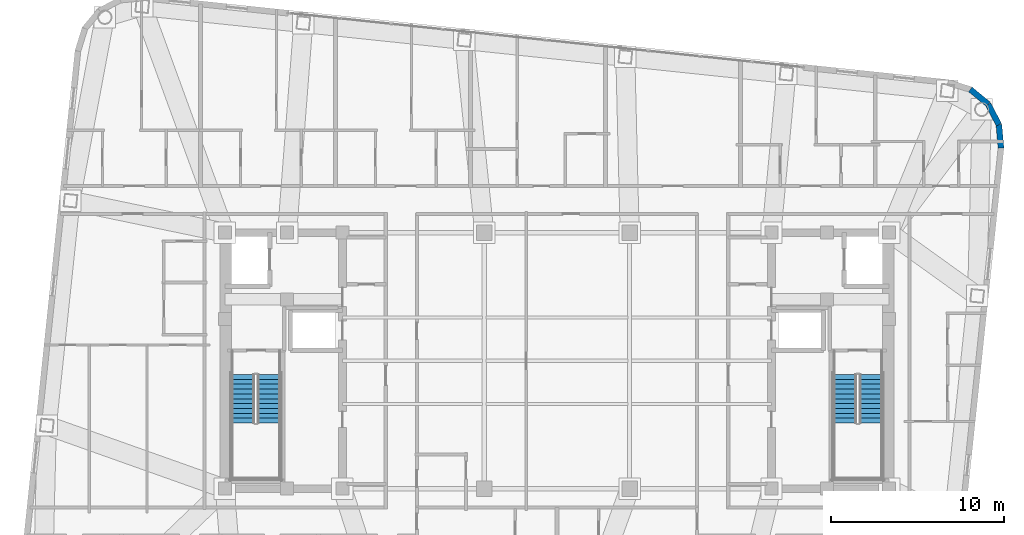
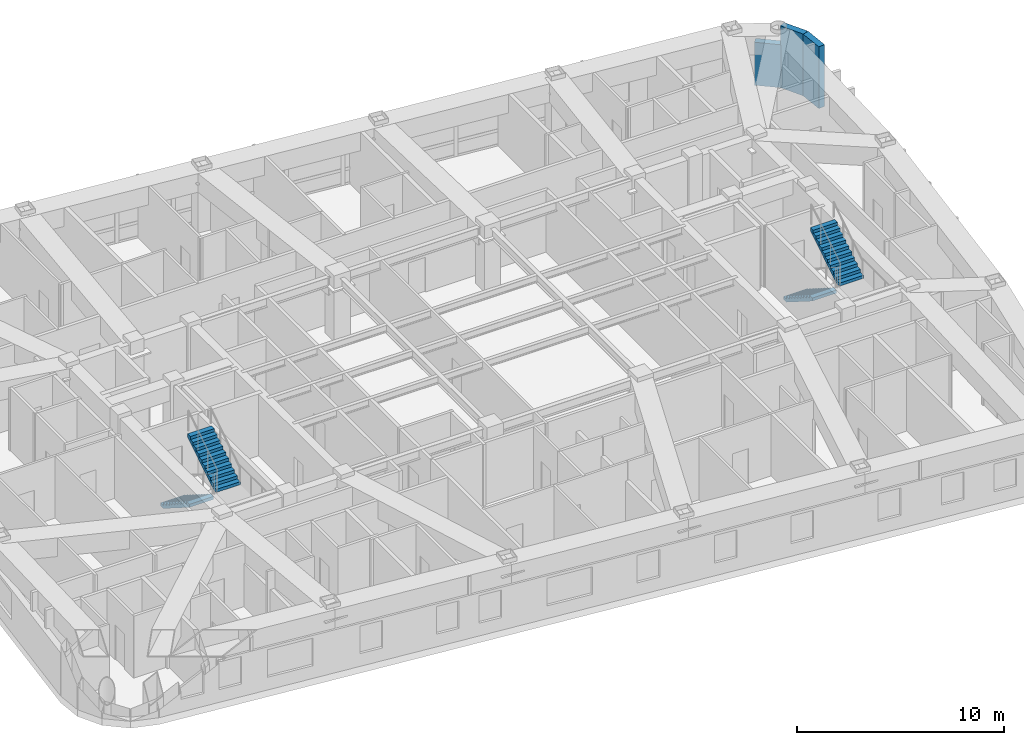
# One storey, part 14 of 16: 4 stair flights, 3 walls, 2 elements without a shape of their own.
"""IFC4 building model written with IfcOpenShell, lengths in metres."""

from ifc_helpers import new_model, si_unit, direction, frame, frame_2d, origin, place, context, subcontext, project, spatial, polyline, rectangle, outline, extrude, material, layer, layer_set, type_object, element, aggregate, save


model = new_model("IFC4")

# Units and contexts
model_context = context("Model", 3, precision=1e-05, world=origin(), true_north=direction((0.0, 1.0)))
body_context = subcontext(model_context, "Body", "Model", "MODEL_VIEW")
ifc_project = project(units=[si_unit("LENGTHUNIT", "METRE"), si_unit("AREAUNIT", "SQUARE_METRE"), si_unit("VOLUMEUNIT", "CUBIC_METRE"), si_unit("PLANEANGLEUNIT", "RADIAN"), si_unit("MASSUNIT", "GRAM", prefix="KILO")], contexts=[model_context])

# Site, building, storey
site_placement = place(None, origin())
site = spatial("IfcSite", under=ifc_project, at=site_placement, CompositionType="ELEMENT")
building_placement = place(site_placement, origin())
building = spatial("IfcBuilding", under=site, at=building_placement, Name="Voryun Gate Residences", CompositionType="ELEMENT")
storey_placement = place(building_placement, frame((0.0, 0.0, 260.0)))
storey = spatial("IfcBuildingStorey", under=building, at=storey_placement, Name="L64", CompositionType="ELEMENT", Elevation=260.0)

# Walls
ifc_material_1 = material(Name="Charcoal terracotta masonry", Category="masonry")
ifc_layer = layer(ifc_material_1, 0.340087890625, Name="W_EXT_TERRACOTTA_340")
ifc_layer_set = layer_set([ifc_layer], Name="Charcoal terracotta masonry")
wall_type = type_object("IfcWallType", Name="W_EXT_TERRACOTTA_340", PredefinedType="ELEMENTEDWALL", material=ifc_layer_set)
wall_1_placement = place(storey_placement, frame((23.895751953125, 15.68212890625, 0.0), z_axis=(0.0, 0.0, 1.0), x_axis=(0.768789762863, -0.639501603217, 0.0)))
element("IfcWall", 1, at=wall_1_placement, inside=storey, type_object=wall_type, Name="Exterior wall WEXT-L64-13", PredefinedType="ELEMENTEDWALL", context=body_context, shape_type="SweptSolid", body=[
    extrude(rectangle(XDim=1.3369140625, YDim=0.340087890625, at=frame_2d((0.66845703125, 0.0))), origin(), (0.0, 0.0, 1.0), 2.5400390625),
])
wall_2_placement = place(storey_placement, frame((24.923583984375, 14.8271484375, 0.0), z_axis=(0.0, 0.0, 1.0), x_axis=(0.46567116636, -0.884957832228, 0.0)))
element("IfcWall", 2, at=wall_2_placement, inside=storey, type_object=wall_type, Name="Exterior wall WEXT-L64-14", PredefinedType="ELEMENTEDWALL", context=body_context, shape_type="SweptSolid", body=[
    extrude(rectangle(XDim=1.3369140625, YDim=0.340087890625, at=frame_2d((0.66845703125, 0.0))), origin(), (0.0, 0.0, 1.0), 3.64990234375),
])
wall_3_placement = place(storey_placement, frame((25.546142578125, 13.64404296875, 0.0), z_axis=(0.0, 0.0, 1.0), x_axis=(0.091592370975, -0.995796584438, 0.0)))
element("IfcWall", 3, at=wall_3_placement, inside=storey, type_object=wall_type, Name="Exterior wall WEXT-L64-15", PredefinedType="ELEMENTEDWALL", context=body_context, shape_type="SweptSolid", body=[
    extrude(rectangle(XDim=1.35400390625, YDim=0.340087890625, at=frame_2d((0.677001953125, 0.0))), origin(), (0.0, 0.0, 1.0), 3.64990234375),
])

# Stair, stair flights
ifc_material_2 = material(Name="Concrete C40/50", Category="concrete")
stair_type = type_object("IfcStairType", Name="STR_CORE_DOGLEG_1350", PredefinedType="HALF_TURN_STAIR", material=ifc_material_2)
stair_1_placement = place(storey_placement, origin())
stair_1 = element("IfcStair", 4, at=stair_1_placement, inside=storey, type_object=stair_type, Name="L64 Special Escape Stair ST-W1", PredefinedType="HALF_TURN_STAIR")
ifc_material_3 = material(Name="Concrete C40/50", Category="concrete")
stair_flight_type = type_object("IfcStairFlightType", Name="FLT_CORE_1350", PredefinedType="STRAIGHT", material=ifc_material_3)
stair_flight_1_placement = place(storey_placement, frame((-18.14990234375, -0.800048828125, 0.0), z_axis=(0.0, 0.0, 1.0), x_axis=(0.0, -1.0, 0.0)))
stair_flight_1 = element("IfcStairFlight", 5, at=stair_flight_1_placement, type_object=stair_flight_type, Name="ST-W1 flight 1", NumberOfRisers=11, NumberOfTreads=10, PredefinedType="STRAIGHT", RiserHeight=0.177272727, TreadLength=0.28, context=body_context, shape_type="SweptSolid", body=[
    extrude(outline(polyline([(0.0, 0.0), (0.0, 0.17724609375), (0.280029296875, 0.17724609375), (0.280029296875, 0.3544921875), (0.56005859375, 0.3544921875), (0.56005859375, 0.53173828125), (0.840087890625, 0.53173828125), (0.840087890625, 0.708984375), (1.1201171875, 0.708984375), (1.1201171875, 0.886474609375), (1.39990234375, 0.886474609375), (1.39990234375, 1.063720703125), (1.679931640625, 1.063720703125), (1.679931640625, 1.240966796875), (1.9599609375, 1.240966796875), (1.9599609375, 1.418212890625), (2.239990234375, 1.418212890625), (2.239990234375, 1.595458984375), (2.52001953125, 1.595458984375), (2.52001953125, 1.772705078125), (2.800048828125, 1.772705078125), (2.800048828125, 1.949951171875), (2.800048828125, 1.59521484375), (0.2802734375, 0.0), (0.0, 0.0)])), frame((0.0, 0.675048828125, 0.0), z_axis=(0.0, -1.0, 0.0), x_axis=(1.0, 0.0, 0.0)), (0.0, 0.0, 1.0), 1.35009765625),
])
stair_flight_2_placement = place(storey_placement, frame((-16.64990234375, -3.60009765625, 1.949951171875), z_axis=(0.0, 0.0, 1.0), x_axis=(0.0, 1.0, 0.0)))
stair_flight_2 = element("IfcStairFlight", 6, at=stair_flight_2_placement, type_object=stair_flight_type, Name="ST-W1 flight 2", NumberOfRisers=11, NumberOfTreads=10, PredefinedType="STRAIGHT", RiserHeight=0.177272727, TreadLength=0.28, context=body_context, shape_type="SweptSolid", body=[
    extrude(outline(polyline([(0.0, 0.0), (0.0, 0.17724609375), (0.280029296875, 0.17724609375), (0.280029296875, 0.3544921875), (0.56005859375, 0.3544921875), (0.56005859375, 0.53173828125), (0.840087890625, 0.53173828125), (0.840087890625, 0.708984375), (1.1201171875, 0.708984375), (1.1201171875, 0.886474609375), (1.39990234375, 0.886474609375), (1.39990234375, 1.063720703125), (1.679931640625, 1.063720703125), (1.679931640625, 1.240966796875), (1.9599609375, 1.240966796875), (1.9599609375, 1.418212890625), (2.239990234375, 1.418212890625), (2.239990234375, 1.595458984375), (2.52001953125, 1.595458984375), (2.52001953125, 1.772705078125), (2.800048828125, 1.772705078125), (2.800048828125, 1.949951171875), (2.800048828125, 1.59521484375), (0.2802734375, 0.0), (0.0, 0.0)])), frame((0.0, 0.675048828125, 0.0), z_axis=(0.0, -1.0, 0.0), x_axis=(1.0, 0.0, 0.0)), (0.0, 0.0, 1.0), 1.35009765625),
])
aggregate(stair_1, [stair_flight_1, stair_flight_2])

stair_2_placement = place(storey_placement, origin())
stair_2 = element("IfcStair", 7, at=stair_2_placement, inside=storey, type_object=stair_type, Name="L64 Special Escape Stair ST-E1", PredefinedType="HALF_TURN_STAIR")
stair_flight_3_placement = place(storey_placement, frame((16.64990234375, -0.800048828125, 0.0), z_axis=(0.0, 0.0, 1.0), x_axis=(0.0, -1.0, 0.0)))
stair_flight_3 = element("IfcStairFlight", 8, at=stair_flight_3_placement, type_object=stair_flight_type, Name="ST-E1 flight 1", NumberOfRisers=11, NumberOfTreads=10, PredefinedType="STRAIGHT", RiserHeight=0.177272727, TreadLength=0.28, context=body_context, shape_type="SweptSolid", body=[
    extrude(outline(polyline([(0.0, 0.0), (0.0, 0.17724609375), (0.280029296875, 0.17724609375), (0.280029296875, 0.3544921875), (0.56005859375, 0.3544921875), (0.56005859375, 0.53173828125), (0.840087890625, 0.53173828125), (0.840087890625, 0.708984375), (1.1201171875, 0.708984375), (1.1201171875, 0.886474609375), (1.39990234375, 0.886474609375), (1.39990234375, 1.063720703125), (1.679931640625, 1.063720703125), (1.679931640625, 1.240966796875), (1.9599609375, 1.240966796875), (1.9599609375, 1.418212890625), (2.239990234375, 1.418212890625), (2.239990234375, 1.595458984375), (2.52001953125, 1.595458984375), (2.52001953125, 1.772705078125), (2.800048828125, 1.772705078125), (2.800048828125, 1.949951171875), (2.800048828125, 1.59521484375), (0.2802734375, 0.0), (0.0, 0.0)])), frame((0.0, 0.675048828125, 0.0), z_axis=(0.0, -1.0, 0.0), x_axis=(1.0, 0.0, 0.0)), (0.0, 0.0, 1.0), 1.35009765625),
])
stair_flight_4_placement = place(storey_placement, frame((18.14990234375, -3.60009765625, 1.949951171875), z_axis=(0.0, 0.0, 1.0), x_axis=(0.0, 1.0, 0.0)))
stair_flight_4 = element("IfcStairFlight", 9, at=stair_flight_4_placement, type_object=stair_flight_type, Name="ST-E1 flight 2", NumberOfRisers=11, NumberOfTreads=10, PredefinedType="STRAIGHT", RiserHeight=0.177272727, TreadLength=0.28, context=body_context, shape_type="SweptSolid", body=[
    extrude(outline(polyline([(0.0, 0.0), (0.0, 0.17724609375), (0.280029296875, 0.17724609375), (0.280029296875, 0.3544921875), (0.56005859375, 0.3544921875), (0.56005859375, 0.53173828125), (0.840087890625, 0.53173828125), (0.840087890625, 0.708984375), (1.1201171875, 0.708984375), (1.1201171875, 0.886474609375), (1.39990234375, 0.886474609375), (1.39990234375, 1.063720703125), (1.679931640625, 1.063720703125), (1.679931640625, 1.240966796875), (1.9599609375, 1.240966796875), (1.9599609375, 1.418212890625), (2.239990234375, 1.418212890625), (2.239990234375, 1.595458984375), (2.52001953125, 1.595458984375), (2.52001953125, 1.772705078125), (2.800048828125, 1.772705078125), (2.800048828125, 1.949951171875), (2.800048828125, 1.59521484375), (0.2802734375, 0.0), (0.0, 0.0)])), frame((0.0, 0.675048828125, 0.0), z_axis=(0.0, -1.0, 0.0), x_axis=(1.0, 0.0, 0.0)), (0.0, 0.0, 1.0), 1.35009765625),
])
aggregate(stair_2, [stair_flight_3, stair_flight_4])

save(model, "model.ifc")
